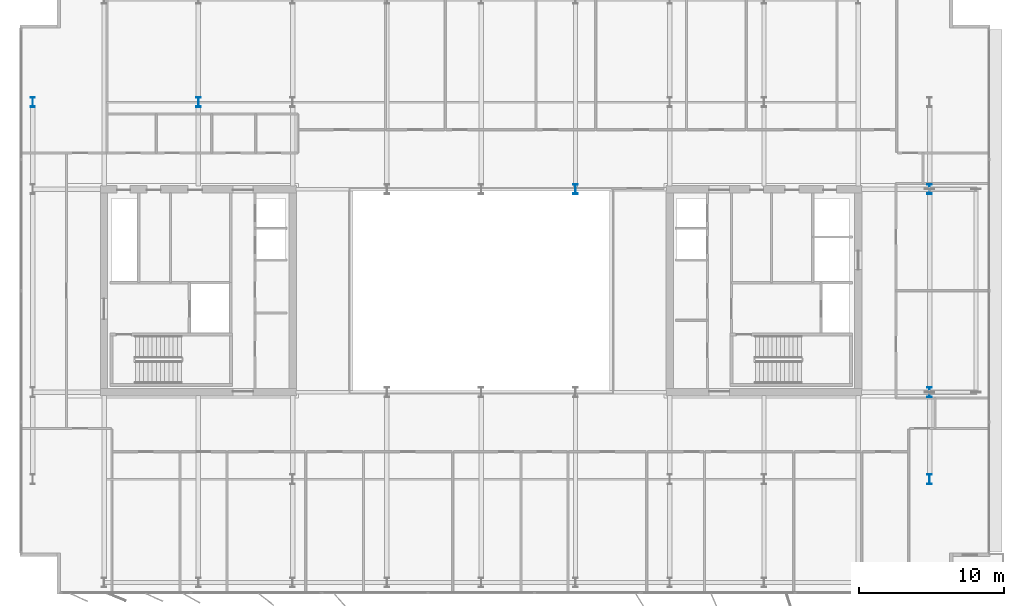
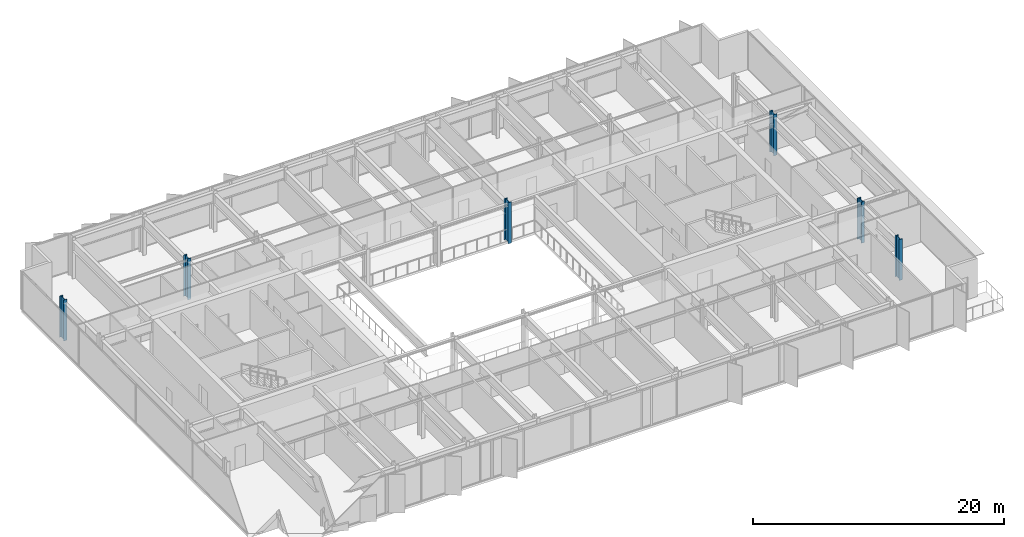
# One storey, part 2 of 20: 6 columns.
"""IFC4 building model written with IfcOpenShell, lengths in metres."""

from ifc_helpers import new_model, si_unit, direction, frame, origin, origin_2d, place, context, subcontext, project, spatial, i_section, extrude, material, material_profile, profile_set, type_object, element, save


model = new_model("IFC4")

# Units and contexts
model_context = context("Model", 3, precision=1e-05, world=origin(), true_north=direction((0.0, 1.0)))
body_context = subcontext(model_context, "Body", "Model", "MODEL_VIEW")
ifc_project = project(units=[si_unit("LENGTHUNIT", "METRE"), si_unit("AREAUNIT", "SQUARE_METRE"), si_unit("VOLUMEUNIT", "CUBIC_METRE"), si_unit("PLANEANGLEUNIT", "RADIAN"), si_unit("MASSUNIT", "GRAM", prefix="KILO")], contexts=[model_context])

# Site, building, storey
site_placement = place(None, origin())
site = spatial("IfcSite", under=ifc_project, at=site_placement, CompositionType="ELEMENT")
building_placement = place(site_placement, origin())
building = spatial("IfcBuilding", under=site, at=building_placement, Name="Putna Gate Headquarters", CompositionType="ELEMENT")
storey_placement = place(building_placement, frame((0.0, 0.0, 306.39990234375)))
storey = spatial("IfcBuildingStorey", under=building, at=storey_placement, Name="L77", CompositionType="ELEMENT", Elevation=306.39990234375)

# Columns
ifc_material = material(Name="Steel S460M", Category="steel")
ifc_material_profile_1 = material_profile(ifc_material, i_section(OverallWidth=0.304931640625, OverallDepth=0.66796875, WebThickness=0.02099609375, FlangeThickness=0.0400390625, at=origin_2d()), Name="Steel S460M")
ifc_profile_set_1 = profile_set([ifc_material_profile_1], Name="Steel S460M")
column_type_1 = type_object("IfcColumnType", Name="COL-STL-HEM650-EXT", PredefinedType="COLUMN", material=ifc_profile_set_1)
for number, where, z_axis, x_axis, name in (
    (1, (69.919921875, 13.0, 0.0), (0.0, 0.0, 1.0), (1.0, 0.0, 0.0), "L77 Column CP-E13"),
    (2, (69.919921875, 19.0, 0.0), (0.0, 0.0, 1.0), (1.0, 0.0, 0.0), "L77 Column CP-E19"),
    (3, (69.919921875, 33.0, 0.0), (0.0, 0.0, 1.0), (1.0, 0.0, 0.0), "L77 Column CP-E33"),
    (4, (8.080078125, 39.0, 0.0), (0.0, 0.0, 1.0), (1.0, 0.0, 0.0), "L77 Column CP-W39"),
):
    element("IfcColumn", number, at=place(storey_placement, frame(where, z_axis=z_axis, x_axis=x_axis)), inside=storey, type_object=column_type_1, Name=name, PredefinedType="COLUMN", context=body_context, shape_type="SweptSolid", body=[
        extrude(i_section(OverallWidth=0.304931640625, OverallDepth=0.66796875, WebThickness=0.02099609375, FlangeThickness=0.0400390625, at=origin_2d()), origin(), (0.0, 0.0, 1.0), 4.0),
    ])
ifc_material_profile_2 = material_profile(ifc_material, i_section(OverallWidth=0.304931640625, OverallDepth=0.66796875, WebThickness=0.02099609375, FlangeThickness=0.0400390625, at=origin_2d()), Name="Steel S460M")
ifc_profile_set_2 = profile_set([ifc_material_profile_2], Name="Steel S460M")
column_type_2 = type_object("IfcColumnType", Name="COL-STL-HEM650-INT", PredefinedType="COLUMN", material=ifc_profile_set_2)
for number, where, z_axis, x_axis, name in (
    (5, (19.5, 39.0, 0.0), (0.0, 0.0, 1.0), (1.0, 0.0, 0.0), "L77 Column CSI-WN"),
    (6, (45.5, 33.0, 0.0), (0.0, 0.0, 1.0), (1.0, 0.0, 0.0), "L77 Column CAI-N45"),
):
    element("IfcColumn", number, at=place(storey_placement, frame(where, z_axis=z_axis, x_axis=x_axis)), inside=storey, type_object=column_type_2, Name=name, PredefinedType="COLUMN", context=body_context, shape_type="SweptSolid", body=[
        extrude(i_section(OverallWidth=0.304931640625, OverallDepth=0.66796875, WebThickness=0.02099609375, FlangeThickness=0.0400390625, at=origin_2d()), origin(), (0.0, 0.0, 1.0), 4.0),
    ])

save(model, "model.ifc")
